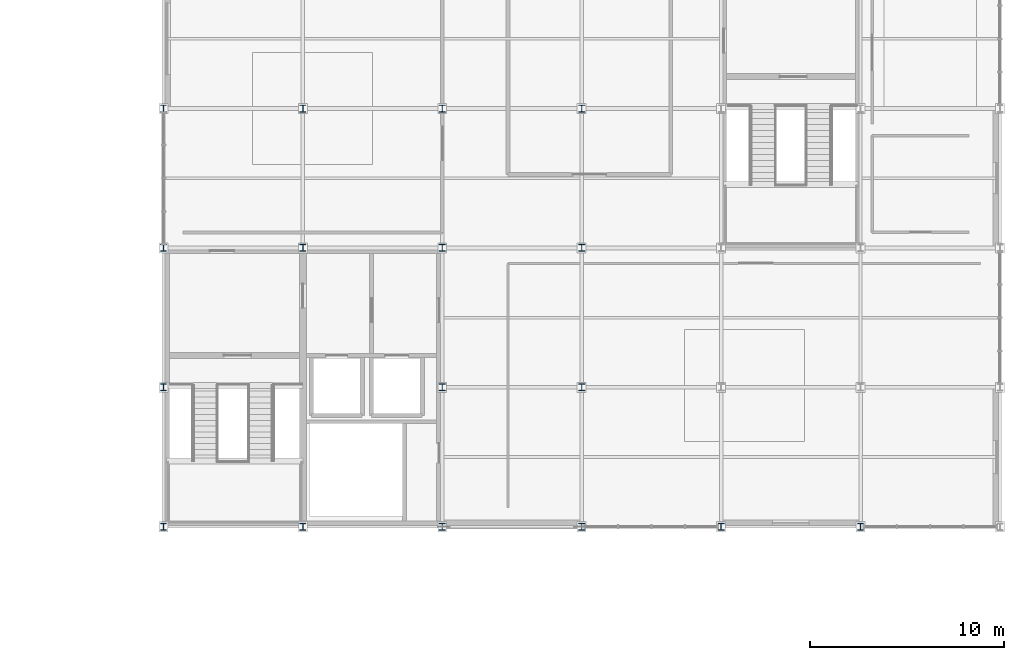
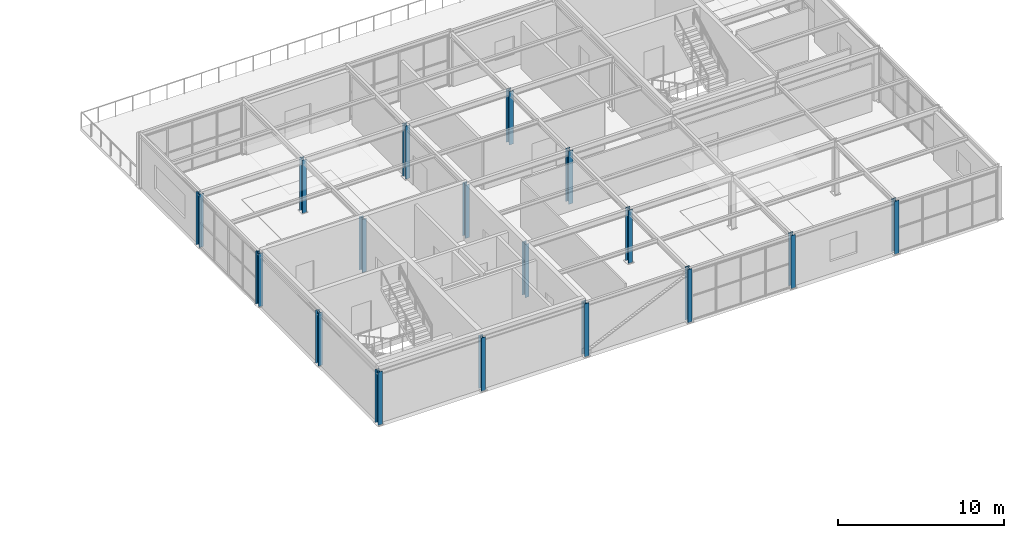
# One storey, part 4 of 30: 17 columns.
"""IFC4 building model written with IfcOpenShell, lengths in metres."""

from ifc_helpers import new_model, si_unit, direction, frame, origin, origin_2d, place, context, subcontext, project, spatial, i_section, extrude, material, material_profile, profile_set, type_object, element, save


model = new_model("IFC4")

# Units and contexts
model_context = context("Model", 3, precision=1e-05, world=origin(), true_north=direction((0.0, 1.0)))
body_context = subcontext(model_context, "Body", "Model", "MODEL_VIEW")
ifc_project = project(units=[si_unit("LENGTHUNIT", "METRE"), si_unit("AREAUNIT", "SQUARE_METRE"), si_unit("VOLUMEUNIT", "CUBIC_METRE"), si_unit("PLANEANGLEUNIT", "RADIAN"), si_unit("MASSUNIT", "GRAM", prefix="KILO")], contexts=[model_context])

# Site, building, storey
site_placement = place(None, origin())
site = spatial("IfcSite", under=ifc_project, at=site_placement, CompositionType="ELEMENT")
building_placement = place(site_placement, origin())
building = spatial("IfcBuilding", under=site, at=building_placement, Name="Leyfeld Transit Interchange", CompositionType="ELEMENT")
storey_placement = place(building_placement, frame((0.0, 0.0, 13.800048828125)))
storey = spatial("IfcBuildingStorey", under=building, at=storey_placement, Name="L03", CompositionType="ELEMENT", Elevation=13.800048828125)

# Columns
ifc_material = material(Name="Steel S355J2", Category="steel")
ifc_material_profile = material_profile(ifc_material, i_section(OverallWidth=0.300048828125, OverallDepth=0.360107421875, WebThickness=0.012451171875, FlangeThickness=0.0224609375, FilletRadius=0.027099609375, at=origin_2d()), Name="HEB 360")
ifc_profile_set = profile_set([ifc_material_profile], Name="Steel S355J2")
column_type = type_object("IfcColumnType", Name="COL-STL-HEB360", PredefinedType="COLUMN", material=ifc_profile_set)
for number, where, z_axis, x_axis, name in (
    (1, (136.800048828125, 57.60009765625, 0.0), (0.0, 0.0, 1.0), (1.0, 0.0, 0.0), "Column COL-L03-1368_0576"),
    (2, (136.800048828125, 64.800048828125, 0.0), (0.0, 0.0, 1.0), (1.0, 0.0, 0.0), "Column COL-L03-1368_0648"),
    (3, (136.800048828125, 72.0, 0.0), (0.0, 0.0, 1.0), (1.0, 0.0, 0.0), "Column COL-L03-1368_0720"),
    (4, (136.800048828125, 79.199951171875, 0.0), (0.0, 0.0, 1.0), (1.0, 0.0, 0.0), "Column COL-L03-1368_0792"),
    (5, (144.0, 57.60009765625, 0.0), (0.0, 0.0, 1.0), (1.0, 0.0, 0.0), "Column COL-L03-1440_0576"),
    (6, (144.0, 72.0, 0.0), (0.0, 0.0, 1.0), (1.0, 0.0, 0.0), "Column COL-L03-1440_0720"),
    (7, (144.0, 79.199951171875, 0.0), (0.0, 0.0, 1.0), (1.0, 0.0, 0.0), "Column COL-L03-1440_0792"),
    (8, (151.199951171875, 57.60009765625, 0.0), (0.0, 0.0, 1.0), (1.0, 0.0, 0.0), "Column COL-L03-1512_0576"),
    (9, (151.199951171875, 64.800048828125, 0.0), (0.0, 0.0, 1.0), (1.0, 0.0, 0.0), "Column COL-L03-1512_0648"),
    (10, (151.199951171875, 72.0, 0.0), (0.0, 0.0, 1.0), (1.0, 0.0, 0.0), "Column COL-L03-1512_0720"),
    (11, (151.199951171875, 79.199951171875, 0.0), (0.0, 0.0, 1.0), (1.0, 0.0, 0.0), "Column COL-L03-1512_0792"),
    (12, (158.39990234375, 57.60009765625, 0.0), (0.0, 0.0, 1.0), (1.0, 0.0, 0.0), "Column COL-L03-1584_0576"),
    (13, (158.39990234375, 64.800048828125, 0.0), (0.0, 0.0, 1.0), (1.0, 0.0, 0.0), "Column COL-L03-1584_0648"),
    (14, (158.39990234375, 72.0, 0.0), (0.0, 0.0, 1.0), (1.0, 0.0, 0.0), "Column COL-L03-1584_0720"),
    (15, (158.39990234375, 79.199951171875, 0.0), (0.0, 0.0, 1.0), (1.0, 0.0, 0.0), "Column COL-L03-1584_0792"),
):
    element("IfcColumn", number, at=place(storey_placement, frame(where, z_axis=z_axis, x_axis=x_axis)), inside=storey, type_object=column_type, Name=name, PredefinedType="COLUMN", context=body_context, shape_type="SweptSolid", body=[
        extrude(i_section(OverallWidth=0.300048828125, OverallDepth=0.360107421875, WebThickness=0.012451171875, FlangeThickness=0.0224609375, FilletRadius=0.027099609375, at=origin_2d()), origin(), (0.0, 0.0, 1.0), 3.919921875),
    ])
for number, where, z_axis, x_axis, name in (
    (16, (165.60009765625, 57.60009765625, 0.0), (0.0, 0.0, 1.0), (1.0, 0.0, 0.0), "Column COL-L03-1656_0576"),
    (17, (172.800048828125, 57.60009765625, 0.0), (0.0, 0.0, 1.0), (1.0, 0.0, 0.0), "Column COL-L03-1728_0576"),
):
    element("IfcColumn", number, at=place(storey_placement, frame(where, z_axis=z_axis, x_axis=x_axis)), inside=storey, type_object=column_type, Name=name, PredefinedType="COLUMN", context=body_context, shape_type="SweptSolid", body=[
        extrude(i_section(OverallWidth=0.300048828125, OverallDepth=0.360107421875, WebThickness=0.012451171875, FlangeThickness=0.0224609375, FilletRadius=0.027099609375, at=origin_2d()), origin(), (0.0, 0.0, 1.0), 3.89990234375),
    ])

save(model, "model.ifc")
